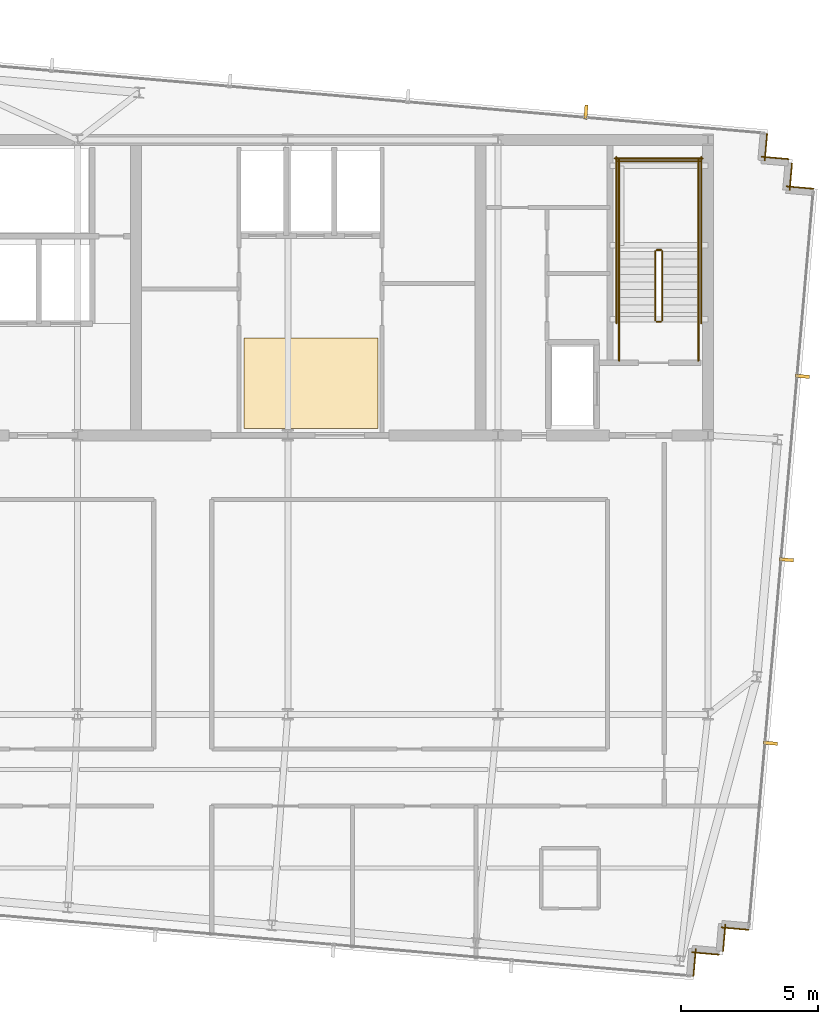
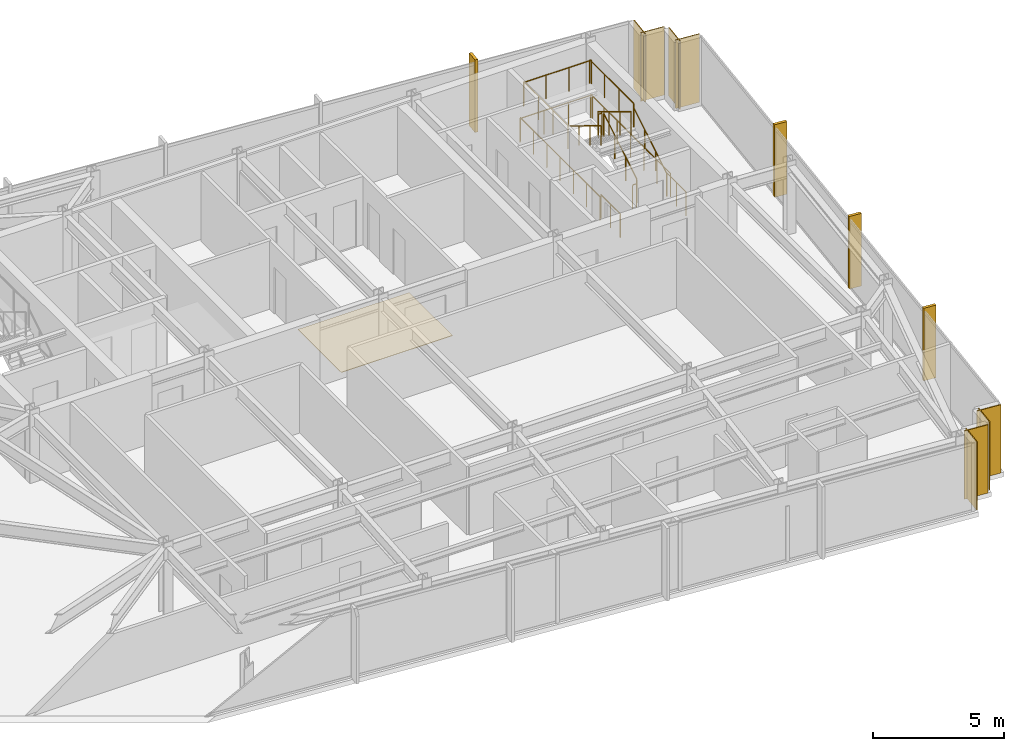
# One storey, part 31 of 32: 14 railings, 9 coverings, 4 shading devices.
"""IFC4 building model written with IfcOpenShell, lengths in metres."""

from ifc_helpers import new_model, si_unit, direction, frame, frame_2d, origin, origin_2d, place, context, subcontext, project, spatial, polyline, rectangle, circle, outline, extrude, material, layer, layer_set, type_object, element, save


model = new_model("IFC4")

# Units and contexts
model_context = context("Model", 3, precision=1e-05, world=origin(), true_north=direction((0.0, 1.0)))
body_context = subcontext(model_context, "Body", "Model", "MODEL_VIEW")
ifc_project = project(units=[si_unit("LENGTHUNIT", "METRE"), si_unit("AREAUNIT", "SQUARE_METRE"), si_unit("VOLUMEUNIT", "CUBIC_METRE"), si_unit("PLANEANGLEUNIT", "RADIAN"), si_unit("MASSUNIT", "GRAM", prefix="KILO")], contexts=[model_context])

# Site, building, storey
site_placement = place(None, origin())
site = spatial("IfcSite", under=ifc_project, at=site_placement, CompositionType="ELEMENT")
building_placement = place(site_placement, origin())
building = spatial("IfcBuilding", under=site, at=building_placement, Name="Yelkora Congress Tower", CompositionType="ELEMENT")
storey_placement = place(building_placement, frame((0.0, 0.0, 276.10009765625)))
storey = spatial("IfcBuildingStorey", under=building, at=storey_placement, Name="L77", CompositionType="ELEMENT", Elevation=276.10009765625)

# Coverings
ifc_material_1 = material(Name="Anatolian bush-hammered limestone", Category="masonry")
ifc_layer_1 = layer(ifc_material_1, 0.0400390625)
ifc_layer_set_1 = layer_set([ifc_layer_1], Name="Anatolian bush-hammered limestone")
covering_type_1 = type_object("IfcCoveringType", Name="COV-CLAD-SPANDREL-40", PredefinedType="CLADDING", material=ifc_layer_set_1)
for number, where, z_axis, x_axis, name in (
    (1, (55.92041015625, 46.431396484375, 0.0), (0.0, 0.0, 1.0), (-0.086903493655, -0.996216734848, 0.0), "L77 Anatolian Limestone Cladding EW-L77-SR11"),
    (2, (55.710693359375, 45.581298828125, 0.0), (0.0, 0.0, 1.0), (0.996193717496, -0.087166950281, 0.0), "L77 Anatolian Limestone Cladding EW-L77-SR12"),
    (3, (56.82958984375, 45.347900390625, 0.0), (0.0, 0.0, 1.0), (-0.087166950281, -0.996193717496, 0.0), "L77 Anatolian Limestone Cladding EW-L77-SR13"),
):
    element("IfcCovering", number, at=place(storey_placement, frame(where, z_axis=z_axis, x_axis=x_axis)), inside=storey, type_object=covering_type_1, Name=name, PredefinedType="CLADDING", context=body_context, shape_type="SweptSolid", body=[
        extrude(rectangle(XDim=1.0, YDim=0.0400390625, at=frame_2d((0.5, 0.0))), origin(), (0.0, 0.0, 1.0), 3.179931640625),
    ])
covering_1_placement = place(storey_placement, frame((56.61962890625, 44.498046875, 0.0), z_axis=(0.0, 0.0, 1.0), x_axis=(0.996195572005, -0.087145753297, 0.0)))
element("IfcCovering", 4, at=covering_1_placement, inside=storey, type_object=covering_type_1, Name="L77 Anatolian Limestone Cladding EW-L77-SR14", PredefinedType="CLADDING", context=body_context, shape_type="SweptSolid", body=[
    extrude(rectangle(XDim=1.000244140625, YDim=0.0400390625, at=frame_2d((0.5, 0.0))), origin(), (0.0, 0.0, 1.0), 3.179931640625),
])
for number, where, z_axis, x_axis, name in (
    (5, (55.24609375, 17.32421875, 0.0), (0.0, 0.0, 1.0), (-0.99617248636, 0.08740925248, 0.0), "L77 Anatolian Limestone Cladding EW-L77-SR16"),
    (6, (54.396240234375, 17.5341796875, 0.0), (0.0, 0.0, 1.0), (-0.087166950281, -0.996193717496, 0.0), "L77 Anatolian Limestone Cladding EW-L77-SR17"),
):
    element("IfcCovering", number, at=place(storey_placement, frame(where, z_axis=z_axis, x_axis=x_axis)), inside=storey, type_object=covering_type_1, Name=name, PredefinedType="CLADDING", context=body_context, shape_type="SweptSolid", body=[
        extrude(rectangle(XDim=1.0, YDim=0.0400390625, at=frame_2d((0.5, 0.0))), origin(), (0.0, 0.0, 1.0), 3.179931640625),
    ])
covering_2_placement = place(storey_placement, frame((54.162841796875, 16.415283203125, 0.0), z_axis=(0.0, 0.0, 1.0), x_axis=(-0.996195572005, 0.087145753297, 0.0)))
element("IfcCovering", 7, at=covering_2_placement, inside=storey, type_object=covering_type_1, Name="L77 Anatolian Limestone Cladding EW-L77-SR18", PredefinedType="CLADDING", context=body_context, shape_type="SweptSolid", body=[
    extrude(rectangle(XDim=1.000244140625, YDim=0.0400390625, at=frame_2d((0.5, 0.0))), origin(), (0.0, 0.0, 1.0), 3.179931640625),
])
covering_3_placement = place(storey_placement, frame((53.312744140625, 16.625, 0.0), z_axis=(0.0, 0.0, 1.0), x_axis=(-0.087166950281, -0.996193717496, 0.0)))
element("IfcCovering", 8, at=covering_3_placement, inside=storey, type_object=covering_type_1, Name="L77 Anatolian Limestone Cladding EW-L77-SR19", PredefinedType="CLADDING", context=body_context, shape_type="SweptSolid", body=[
    extrude(rectangle(XDim=1.0, YDim=0.0400390625, at=frame_2d((0.5, 0.0))), origin(), (0.0, 0.0, 1.0), 3.179931640625),
])
ifc_material_2 = material(Name="Polished Anatolian grey granite tile", Category="masonry")
ifc_layer_2 = layer(ifc_material_2, 0.02001953125)
ifc_layer_set_2 = layer_set([ifc_layer_2], Name="Polished Anatolian grey granite tile")
covering_type_2 = type_object("IfcCoveringType", Name="COV-FLOOR-GRANITE-20", PredefinedType="FLOORING", material=ifc_layer_set_2)
covering_4_placement = place(storey_placement, origin())
element("IfcCovering", 9, at=covering_4_placement, inside=storey, type_object=covering_type_2, Name="L77 Lift Lobby Granite Flooring", PredefinedType="FLOORING", context=body_context, shape_type="SweptSolid", body=[
    extrude(outline(polyline([(36.800048828125, 35.64990234375), (41.699951171875, 35.64990234375), (41.699951171875, 38.949951171875), (36.800048828125, 38.949951171875), (36.800048828125, 35.64990234375)])), origin(), (0.0, 0.0, 1.0), 0.02001953125),
])

# Railings
ifc_material_3 = material(Name="Painted galvanised steel stair well guard with vertical infill", Category="steel")
ifc_layer_3 = layer(ifc_material_3, 0.06005859375)
ifc_layer_set_3 = layer_set([ifc_layer_3], Name="Painted galvanised steel stair well guard with vertical infill")
railing_type_1 = type_object("IfcRailingType", Name="RAIL-STAIR-GUARD-1120", PredefinedType="GUARDRAIL", material=ifc_layer_set_3)
railing_1_placement = place(storey_placement, frame((52.090087890625, 39.60009765625, 0.169921875)))
element("IfcRailing", 10, at=railing_1_placement, inside=storey, type_object=railing_type_1, Name="ST-02 L77 Stair Well Guardrail 1", PredefinedType="GUARDRAIL", context=body_context, shape_type="SweptSolid", body=[
    extrude(circle(Radius=0.02392578125, at=origin_2d()), frame((0.0, 0.0, 1.09619140625), z_axis=(0.0, 0.85478489116, 0.518982456201), x_axis=(-1.0, 0.0, 0.0)), (0.0, 0.0, 1.0), 2.9482421875),
    extrude(circle(Radius=0.02099609375, at=origin_2d()), origin(), (0.0, 0.0, 1.0), 1.072021484375),
    extrude(circle(Radius=0.02099609375, at=origin_2d()), frame((0.0, 0.840087890625, 0.510009765625)), (0.0, 0.0, 1.0), 1.072021484375),
    extrude(circle(Radius=0.02099609375, at=origin_2d()), frame((0.0, 1.679931640625, 1.02001953125)), (0.0, 0.0, 1.0), 1.072021484375),
    extrude(circle(Radius=0.02099609375, at=origin_2d()), frame((0.0, 2.52001953125, 1.530029296875)), (0.0, 0.0, 1.0), 1.072021484375),
])
railing_2_placement = place(storey_placement, frame((52.0400390625, 42.169921875, 1.699951171875)))
element("IfcRailing", 11, at=railing_2_placement, inside=storey, type_object=railing_type_1, Name="ST-02 L77 Stair Well Guardrail 2", PredefinedType="GUARDRAIL", context=body_context, shape_type="SweptSolid", body=[
    extrude(circle(Radius=0.02392578125, at=origin_2d()), frame((0.0, 0.0, 1.09619140625), z_axis=(-1.0, 0.0, 0.0), x_axis=(0.0, -1.0, 0.0)), (0.0, 0.0, 1.0), 0.16015625),
    extrude(circle(Radius=0.02099609375, at=origin_2d()), origin(), (0.0, 0.0, 1.0), 1.072021484375),
    extrude(circle(Radius=0.02099609375, at=origin_2d()), frame((-0.16015625, 0.0, 0.0)), (0.0, 0.0, 1.0), 1.072021484375),
])
for number, where, name in (
    (12, (53.409912109375, 42.1201171875, 1.699951171875), "ST-02 L77 Stair Well Guardrail 3"),
    (13, (50.510009765625, 42.1201171875, 1.699951171875), "ST-02 L77 Stair Well Guardrail 4"),
):
    element("IfcRailing", number, at=place(storey_placement, frame(where)), inside=storey, type_object=railing_type_1, Name=name, PredefinedType="GUARDRAIL", context=body_context, shape_type="SweptSolid", body=[
        extrude(circle(Radius=0.02392578125, at=origin_2d()), frame((0.0, 0.0, 1.09619140625), z_axis=(0.0, 1.0, 0.0), x_axis=(-1.0, 0.0, 0.0)), (0.0, 0.0, 1.0), 3.349853515625),
        extrude(circle(Radius=0.02099609375, at=origin_2d()), origin(), (0.0, 0.0, 1.0), 1.072021484375),
        extrude(circle(Radius=0.02099609375, at=origin_2d()), frame((0.0, 1.11669921875, 0.0)), (0.0, 0.0, 1.0), 1.072021484375),
        extrude(circle(Radius=0.02099609375, at=origin_2d()), frame((0.0, 2.233154296875, 0.0)), (0.0, 0.0, 1.0), 1.072021484375),
        extrude(circle(Radius=0.02099609375, at=origin_2d()), frame((0.0, 3.349853515625, 0.0)), (0.0, 0.0, 1.0), 1.072021484375),
    ])
railing_3_placement = place(storey_placement, frame((53.4599609375, 45.419921875, 1.699951171875)))
element("IfcRailing", 14, at=railing_3_placement, inside=storey, type_object=railing_type_1, Name="ST-02 L77 Stair Well Guardrail 5", PredefinedType="GUARDRAIL", context=body_context, shape_type="SweptSolid", body=[
    extrude(circle(Radius=0.02392578125, at=origin_2d()), frame((0.0, 0.0, 1.09619140625), z_axis=(-1.0, 0.0, 0.0), x_axis=(0.0, -1.0, 0.0)), (0.0, 0.0, 1.0), 3.0),
    extrude(circle(Radius=0.02099609375, at=origin_2d()), origin(), (0.0, 0.0, 1.0), 1.072021484375),
    extrude(circle(Radius=0.02099609375, at=origin_2d()), frame((-1.0, 0.0, 0.0)), (0.0, 0.0, 1.0), 1.072021484375),
    extrude(circle(Radius=0.02099609375, at=origin_2d()), frame((-2.0, 0.0, 0.0)), (0.0, 0.0, 1.0), 1.072021484375),
    extrude(circle(Radius=0.02099609375, at=origin_2d()), frame((-3.0, 0.0, 0.0)), (0.0, 0.0, 1.0), 1.072021484375),
])
railing_4_placement = place(storey_placement, frame((51.830078125, 42.1201171875, 1.869873046875)))
element("IfcRailing", 15, at=railing_4_placement, inside=storey, type_object=railing_type_1, Name="ST-02 L77 Stair Well Guardrail 6", PredefinedType="GUARDRAIL", context=body_context, shape_type="SweptSolid", body=[
    extrude(circle(Radius=0.02392578125, at=origin_2d()), frame((0.0, 0.0, 1.09619140625), z_axis=(0.0, -0.85478489116, 0.518982456201), x_axis=(1.0, 0.0, 0.0)), (0.0, 0.0, 1.0), 2.9482421875),
    extrude(circle(Radius=0.02099609375, at=origin_2d()), origin(), (0.0, 0.0, 1.0), 1.072021484375),
    extrude(circle(Radius=0.02099609375, at=origin_2d()), frame((0.0, -0.840087890625, 0.510009765625)), (0.0, 0.0, 1.0), 1.072021484375),
    extrude(circle(Radius=0.02099609375, at=origin_2d()), frame((0.0, -1.679931640625, 1.02001953125)), (0.0, 0.0, 1.0), 1.072021484375),
    extrude(circle(Radius=0.02099609375, at=origin_2d()), frame((0.0, -2.52001953125, 1.530029296875)), (0.0, 0.0, 1.0), 1.072021484375),
])
railing_5_placement = place(storey_placement, frame((52.0400390625, 39.550048828125, 0.0)))
element("IfcRailing", 16, at=railing_5_placement, inside=storey, type_object=railing_type_1, Name="ST-02 L77 Stair Well Guardrail 7", PredefinedType="GUARDRAIL", context=body_context, shape_type="SweptSolid", body=[
    extrude(circle(Radius=0.02392578125, at=origin_2d()), frame((0.0, 0.0, 1.09619140625), z_axis=(-1.0, 0.0, 0.0), x_axis=(0.0, -1.0, 0.0)), (0.0, 0.0, 1.0), 0.16015625),
    extrude(circle(Radius=0.02099609375, at=origin_2d()), origin(), (0.0, 0.0, 1.0), 1.072021484375),
    extrude(circle(Radius=0.02099609375, at=origin_2d()), frame((-0.16015625, 0.0, 0.0)), (0.0, 0.0, 1.0), 1.072021484375),
])
for number, where, name in (
    (17, (53.409912109375, 38.1201171875, 0.0), "ST-02 L77 Stair Well Guardrail 8"),
    (18, (50.510009765625, 38.1201171875, 0.0), "ST-02 L77 Stair Well Guardrail 9"),
):
    element("IfcRailing", number, at=place(storey_placement, frame(where)), inside=storey, type_object=railing_type_1, Name=name, PredefinedType="GUARDRAIL", context=body_context, shape_type="SweptSolid", body=[
        extrude(circle(Radius=0.02392578125, at=origin_2d()), frame((0.0, 0.0, 1.09619140625), z_axis=(0.0, 1.0, 0.0), x_axis=(-1.0, 0.0, 0.0)), (0.0, 0.0, 1.0), 1.47998046875),
        extrude(circle(Radius=0.02099609375, at=origin_2d()), origin(), (0.0, 0.0, 1.0), 1.072021484375),
        extrude(circle(Radius=0.02099609375, at=origin_2d()), frame((0.0, 0.739990234375, 0.0)), (0.0, 0.0, 1.0), 1.072021484375),
        extrude(circle(Radius=0.02099609375, at=origin_2d()), frame((0.0, 1.47998046875, 0.0)), (0.0, 0.0, 1.0), 1.072021484375),
    ])
for number, where, name in (
    (19, (53.510009765625, 39.5, 0.0), "ST-02 L77 Stair Well Guardrail 10"),
    (20, (50.409912109375, 39.5, 0.0), "ST-02 L77 Stair Well Guardrail 11"),
):
    element("IfcRailing", number, at=place(storey_placement, frame(where)), inside=storey, type_object=railing_type_1, Name=name, PredefinedType="GUARDRAIL", context=body_context, shape_type="SweptSolid", body=[
        extrude(circle(Radius=0.02392578125, at=origin_2d()), frame((0.0, 0.0, 1.09619140625), z_axis=(0.0, 1.0, 0.0), x_axis=(-1.0, 0.0, 0.0)), (0.0, 0.0, 1.0), 6.070068359375),
        extrude(circle(Radius=0.02099609375, at=origin_2d()), origin(), (0.0, 0.0, 1.0), 1.072021484375),
        extrude(circle(Radius=0.02099609375, at=origin_2d()), frame((0.0, 1.01171875, 0.0)), (0.0, 0.0, 1.0), 1.072021484375),
        extrude(circle(Radius=0.02099609375, at=origin_2d()), frame((0.0, 2.0234375, 0.0)), (0.0, 0.0, 1.0), 1.072021484375),
        extrude(circle(Radius=0.02099609375, at=origin_2d()), frame((0.0, 3.03515625, 0.0)), (0.0, 0.0, 1.0), 1.072021484375),
        extrude(circle(Radius=0.02099609375, at=origin_2d()), frame((0.0, 4.046630859375, 0.0)), (0.0, 0.0, 1.0), 1.072021484375),
        extrude(circle(Radius=0.02099609375, at=origin_2d()), frame((0.0, 5.058349609375, 0.0)), (0.0, 0.0, 1.0), 1.072021484375),
        extrude(circle(Radius=0.02099609375, at=origin_2d()), frame((0.0, 6.070068359375, 0.0)), (0.0, 0.0, 1.0), 1.072021484375),
    ])
railing_6_placement = place(storey_placement, frame((53.56005859375, 45.52001953125, 0.0)))
element("IfcRailing", 21, at=railing_6_placement, inside=storey, type_object=railing_type_1, Name="ST-02 L77 Stair Well Guardrail 12", PredefinedType="GUARDRAIL", context=body_context, shape_type="SweptSolid", body=[
    extrude(circle(Radius=0.02392578125, at=origin_2d()), frame((0.0, 0.0, 1.09619140625), z_axis=(-1.0, 0.0, 0.0), x_axis=(0.0, -1.0, 0.0)), (0.0, 0.0, 1.0), 3.199951171875),
    extrude(circle(Radius=0.02099609375, at=origin_2d()), origin(), (0.0, 0.0, 1.0), 1.072021484375),
    extrude(circle(Radius=0.02099609375, at=origin_2d()), frame((-1.066650390625, 0.0, 0.0)), (0.0, 0.0, 1.0), 1.072021484375),
    extrude(circle(Radius=0.02099609375, at=origin_2d()), frame((-2.13330078125, 0.0, 0.0)), (0.0, 0.0, 1.0), 1.072021484375),
    extrude(circle(Radius=0.02099609375, at=origin_2d()), frame((-3.199951171875, 0.0, 0.0)), (0.0, 0.0, 1.0), 1.072021484375),
])
ifc_material_4 = material(Name="Brushed stainless steel tubular handrail", Category="steel")
ifc_layer_4 = layer(ifc_material_4, 0.050048828125)
ifc_layer_set_4 = layer_set([ifc_layer_4], Name="Brushed stainless steel tubular handrail")
railing_type_2 = type_object("IfcRailingType", Name="RAIL-STAIR-HAND-920", PredefinedType="HANDRAIL", material=ifc_layer_set_4)
railing_7_placement = place(storey_placement, frame((53.409912109375, 39.60009765625, 0.169921875)))
element("IfcRailing", 22, at=railing_7_placement, inside=storey, type_object=railing_type_2, Name="ST-02 L77 Pitch Handrail 1", PredefinedType="HANDRAIL", context=body_context, shape_type="SweptSolid", body=[
    extrude(circle(Radius=0.02392578125, at=origin_2d()), frame((0.0, 0.0, 0.89599609375), z_axis=(0.0, 0.85478489116, 0.518982456201), x_axis=(-1.0, 0.0, 0.0)), (0.0, 0.0, 1.0), 2.9482421875),
    extrude(circle(Radius=0.02099609375, at=origin_2d()), origin(), (0.0, 0.0, 1.0), 0.871826171875),
    extrude(circle(Radius=0.02099609375, at=origin_2d()), frame((0.0, 0.840087890625, 0.510009765625)), (0.0, 0.0, 1.0), 0.871826171875),
    extrude(circle(Radius=0.02099609375, at=origin_2d()), frame((0.0, 1.679931640625, 1.02001953125)), (0.0, 0.0, 1.0), 0.871826171875),
    extrude(circle(Radius=0.02099609375, at=origin_2d()), frame((0.0, 2.52001953125, 1.530029296875)), (0.0, 0.0, 1.0), 0.871826171875),
])
railing_8_placement = place(storey_placement, frame((50.510009765625, 42.1201171875, 1.869873046875)))
element("IfcRailing", 23, at=railing_8_placement, inside=storey, type_object=railing_type_2, Name="ST-02 L77 Pitch Handrail 2", PredefinedType="HANDRAIL", context=body_context, shape_type="SweptSolid", body=[
    extrude(circle(Radius=0.02392578125, at=origin_2d()), frame((0.0, 0.0, 0.89599609375), z_axis=(0.0, -0.85478489116, 0.518982456201), x_axis=(1.0, 0.0, 0.0)), (0.0, 0.0, 1.0), 2.9482421875),
    extrude(circle(Radius=0.02099609375, at=origin_2d()), origin(), (0.0, 0.0, 1.0), 0.871826171875),
    extrude(circle(Radius=0.02099609375, at=origin_2d()), frame((0.0, -0.840087890625, 0.510009765625)), (0.0, 0.0, 1.0), 0.871826171875),
    extrude(circle(Radius=0.02099609375, at=origin_2d()), frame((0.0, -1.679931640625, 1.02001953125)), (0.0, 0.0, 1.0), 0.871826171875),
    extrude(circle(Radius=0.02099609375, at=origin_2d()), frame((0.0, -2.52001953125, 1.530029296875)), (0.0, 0.0, 1.0), 0.871826171875),
])

# Shading devices
ifc_material_5 = material(Name="Champagne anodised aluminium", Category="aluminium")
ifc_layer_5 = layer(ifc_material_5, 3.300048828125)
ifc_layer_set_5 = layer_set([ifc_layer_5], Name="Champagne anodised aluminium")
shading_device_type = type_object("IfcShadingDeviceType", Name="SHD-FIN-ALU-520", PredefinedType="USERDEFINED", material=ifc_layer_set_5)
for number, where, z_axis, x_axis, name in (
    (24, (49.296875, 47.21142578125, -0.030029296875), (0.0, 0.0, 1.0), (0.996194698092, -0.087155742748, 0.0), "L77 Vertical Anodised Solar Fin 10-6"),
    (25, (57.216796875, 37.554443359375, -0.030029296875), (0.0, 0.0, 1.0), (-0.087155742748, -0.996194698092, 0.0), "L77 Vertical Anodised Solar Fin 15-1"),
    (26, (56.630126953125, 30.85009765625, -0.030029296875), (0.0, 0.0, 1.0), (-0.087155742748, -0.996194698092, 0.0), "L77 Vertical Anodised Solar Fin 15-2"),
    (27, (56.043701171875, 24.145751953125, -0.030029296875), (0.0, 0.0, 1.0), (-0.087155742748, -0.996194698092, 0.0), "L77 Vertical Anodised Solar Fin 15-3"),
):
    element("IfcShadingDevice", number, at=place(storey_placement, frame(where, z_axis=z_axis, x_axis=x_axis)), inside=storey, type_object=shading_device_type, Name=name, ObjectType="FIN", PredefinedType="USERDEFINED", context=body_context, shape_type="SweptSolid", body=[
        extrude(rectangle(XDim=0.1201171875, YDim=0.52001953125, at=origin_2d()), origin(), (0.0, 0.0, 1.0), 3.3798828125),
    ])

save(model, "model.ifc")
